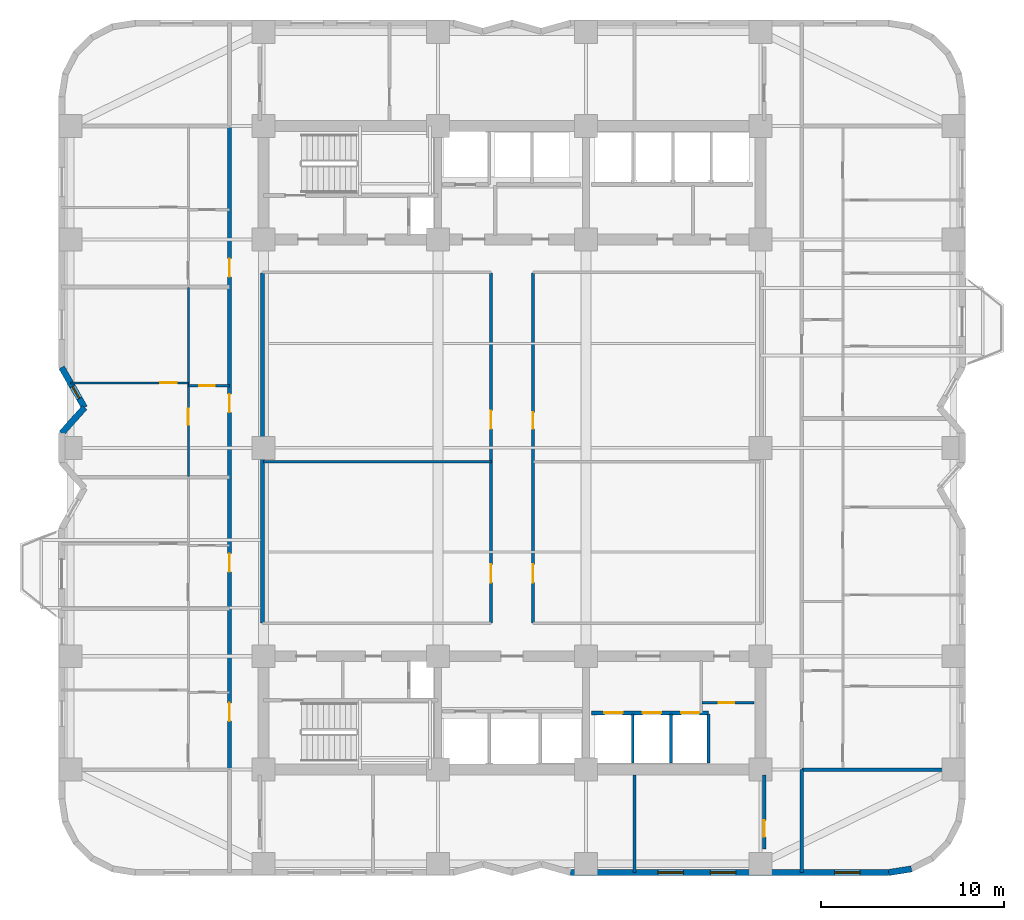
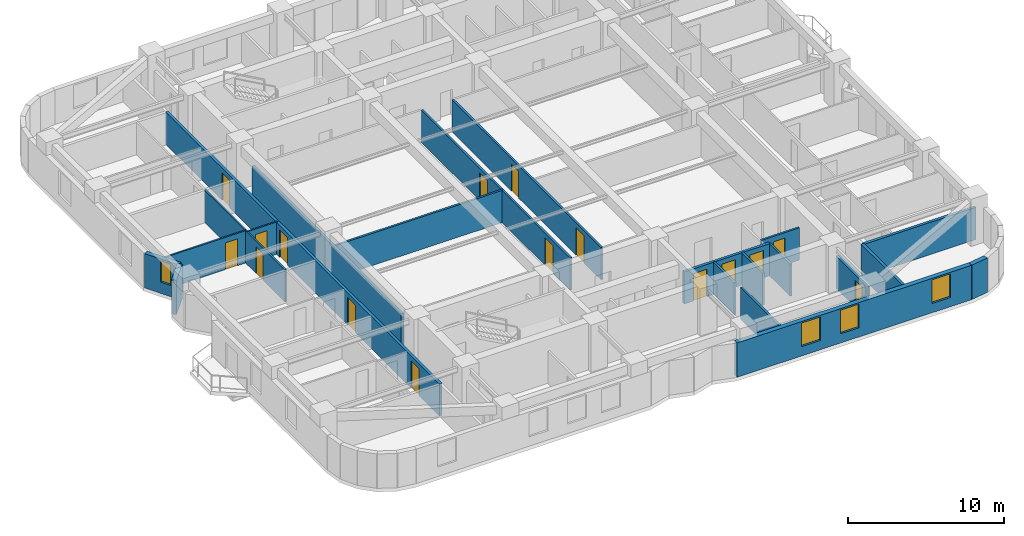
# One storey, part 4 of 9: 21 walls, 16 doors, 4 windows, 20 openings.
"""IFC4 building model written with IfcOpenShell, lengths in metres."""

from ifc_helpers import new_model, si_unit, direction, frame, frame_2d, origin, place, context, subcontext, project, spatial, rectangle, extrude, material, layer, layer_set, type_object, element, fill, save


model = new_model("IFC4")

# Units and contexts
model_context = context("Model", 3, precision=1e-05, world=origin(), true_north=direction((0.0, 1.0)))
body_context = subcontext(model_context, "Body", "Model", "MODEL_VIEW")
ifc_project = project(units=[si_unit("LENGTHUNIT", "METRE"), si_unit("AREAUNIT", "SQUARE_METRE"), si_unit("VOLUMEUNIT", "CUBIC_METRE"), si_unit("PLANEANGLEUNIT", "RADIAN"), si_unit("MASSUNIT", "GRAM", prefix="KILO")], contexts=[model_context])

# Site, building, storey
site_placement = place(None, origin())
site = spatial("IfcSite", under=ifc_project, at=site_placement, CompositionType="ELEMENT")
building_placement = place(site_placement, origin())
building = spatial("IfcBuilding", under=site, at=building_placement, Name="Svetorya Sky Lyceum", CompositionType="ELEMENT")
storey_placement = place(building_placement, frame((0.0, 0.0, 51.0)))
storey = spatial("IfcBuildingStorey", under=building, at=storey_placement, Name="L12", CompositionType="ELEMENT", Elevation=51.0)

# Wall, openings, windows
ifc_material_1 = material(Name="Putilovo limestone rainscreen on autoclaved cellular masonry", Category="masonry")
ifc_layer_1 = layer(ifc_material_1, 0.340087890625)
ifc_layer_set_1 = layer_set([ifc_layer_1], Name="Putilovo limestone rainscreen on autoclaved cellular masonry")
wall_type_1 = type_object("IfcWallType", Name="WL-EXT-340", PredefinedType="SOLIDWALL", material=ifc_layer_set_1)
wall_1_placement = place(storey_placement, frame((42.39990234375, 4.969970703125, 0.0), z_axis=(0.0, 0.0, 1.0), x_axis=(1.0, 0.0, 0.0)))
wall_1 = element("IfcWall", 1, at=wall_1_placement, inside=storey, type_object=wall_type_1, Name="L12 Limestone Exterior Wall 11M", PredefinedType="SOLIDWALL", context=body_context, shape_type="SweptSolid", body=[
    extrude(rectangle(XDim=17.400146484375, YDim=0.340087890625, at=frame_2d((8.7001953125, 0.0))), origin(), (0.0, 0.0, 1.0), 2.699951171875),
])
opening_1_placement = place(wall_1_placement, frame((4.780029296875, 0.0, 0.72998046875)))
opening_1 = element("IfcOpeningElement", 2, at=opening_1_placement, cuts=wall_1, Name="Opening W-R2", PredefinedType="OPENING", context=body_context, shape_type="SweptSolid", body=[
    extrude(rectangle(XDim=1.39990234375, YDim=1.85009765625, at=frame_2d((0.699951171875, 0.925048828125))), frame((0.0, 0.179931640625, 0.0), z_axis=(0.0, -1.0, 0.0), x_axis=(1.0, 0.0, 0.0)), (0.0, 0.0, 1.0), 0.360107421875),
])
opening_2_placement = place(wall_1_placement, frame((7.64990234375, 0.0, 0.72998046875)))
opening_2 = element("IfcOpeningElement", 3, at=opening_2_placement, cuts=wall_1, Name="Opening W-R2", PredefinedType="OPENING", context=body_context, shape_type="SweptSolid", body=[
    extrude(rectangle(XDim=1.39990234375, YDim=1.85009765625, at=frame_2d((0.699951171875, 0.925048828125))), frame((0.0, 0.179931640625, 0.0), z_axis=(0.0, -1.0, 0.0), x_axis=(1.0, 0.0, 0.0)), (0.0, 0.0, 1.0), 0.360107421875),
])
opening_3_placement = place(wall_1_placement, frame((14.43994140625, 0.0, 0.72998046875)))
opening_3 = element("IfcOpeningElement", 4, at=opening_3_placement, cuts=wall_1, Name="Opening W-R2", PredefinedType="OPENING", context=body_context, shape_type="SweptSolid", body=[
    extrude(rectangle(XDim=1.39990234375, YDim=1.85009765625, at=frame_2d((0.699951171875, 0.925048828125))), frame((0.0, 0.179931640625, 0.0), z_axis=(0.0, -1.0, 0.0), x_axis=(1.0, 0.0, 0.0)), (0.0, 0.0, 1.0), 0.360107421875),
])
ifc_material_2 = material(Name="Thermally broken aluminium frame with triple low-E glazing", Category="aluminium")
window_type_1 = type_object("IfcWindowType", Name="WN-RES-140", PartitioningType="SINGLE_PANEL", PredefinedType="WINDOW", material=ifc_material_2)
window_1_placement = place(opening_1_placement, origin())
window_1 = element("IfcWindow", 5, at=window_1_placement, inside=storey, type_object=window_type_1, Name="L12 Facade Window W-R2.11M.1", OverallHeight=1.85009765625, OverallWidth=1.39990234375, PartitioningType="SINGLE_PANEL", PredefinedType="WINDOW", context=body_context, shape_type="SweptSolid", body=[
    extrude(rectangle(XDim=1.39990234375, YDim=1.85009765625, at=frame_2d((0.699951171875, 0.925048828125))), frame((0.0, 0.030029296875, 0.0), z_axis=(0.0, -1.0, 0.0), x_axis=(1.0, 0.0, 0.0)), (0.0, 0.0, 1.0), 0.06005859375),
])
fill(opening_1, window_1)
window_2_placement = place(opening_2_placement, origin())
window_2 = element("IfcWindow", 6, at=window_2_placement, inside=storey, type_object=window_type_1, Name="L12 Facade Window W-R2.11M.2", OverallHeight=1.85009765625, OverallWidth=1.39990234375, PartitioningType="SINGLE_PANEL", PredefinedType="WINDOW", context=body_context, shape_type="SweptSolid", body=[
    extrude(rectangle(XDim=1.39990234375, YDim=1.85009765625, at=frame_2d((0.699951171875, 0.925048828125))), frame((0.0, 0.030029296875, 0.0), z_axis=(0.0, -1.0, 0.0), x_axis=(1.0, 0.0, 0.0)), (0.0, 0.0, 1.0), 0.06005859375),
])
fill(opening_2, window_2)
window_3_placement = place(opening_3_placement, origin())
window_3 = element("IfcWindow", 7, at=window_3_placement, inside=storey, type_object=window_type_1, Name="L12 Facade Window W-R2.11M.3", OverallHeight=1.85009765625, OverallWidth=1.39990234375, PartitioningType="SINGLE_PANEL", PredefinedType="WINDOW", context=body_context, shape_type="SweptSolid", body=[
    extrude(rectangle(XDim=1.39990234375, YDim=1.85009765625, at=frame_2d((0.699951171875, 0.925048828125))), frame((0.0, 0.030029296875, 0.0), z_axis=(0.0, -1.0, 0.0), x_axis=(1.0, 0.0, 0.0)), (0.0, 0.0, 1.0), 0.06005859375),
])
fill(opening_3, window_3)

# Wall
wall_2_placement = place(storey_placement, frame((59.800048828125, 4.969970703125, 0.0), z_axis=(0.0, 0.0, 1.0), x_axis=(0.987685918112, 0.15644975923, 0.0)))
element("IfcWall", 8, at=wall_2_placement, inside=storey, type_object=wall_type_1, Name="L12 Limestone Exterior Wall 12M", PredefinedType="SOLIDWALL", context=body_context, shape_type="SweptSolid", body=[
    extrude(rectangle(XDim=1.260986328125, YDim=0.340087890625, at=frame_2d((0.63037109375, 0.0))), origin(), (0.0, 0.0, 1.0), 2.699951171875),
])

# Wall, opening, window
wall_3_placement = place(storey_placement, frame((14.570068359375, 32.60009765625, 0.0), z_axis=(0.0, 0.0, 1.0), x_axis=(0.493976255291, -0.869475393101, 0.0)))
wall_3 = element("IfcWall", 9, at=wall_3_placement, inside=storey, type_object=wall_type_1, Name="L12 Limestone Exterior Wall 41M", PredefinedType="SOLIDWALL", context=body_context, shape_type="SweptSolid", body=[
    extrude(rectangle(XDim=2.530517578125, YDim=0.340087890625, at=frame_2d((1.26513671875, 0.0))), origin(), (0.0, 0.0, 1.0), 2.699951171875),
])
opening_4_placement = place(wall_3_placement, frame((1.199951171875, 0.0, 0.889892578125)))
opening_4 = element("IfcOpeningElement", 10, at=opening_4_placement, cuts=wall_3, Name="Opening W-R5", PredefinedType="OPENING", context=body_context, shape_type="SweptSolid", body=[
    extrude(rectangle(XDim=0.75, YDim=1.64990234375, at=frame_2d((0.375, 0.824951171875))), frame((0.0, 0.179931640625, 0.0), z_axis=(0.0, -1.0, 0.0), x_axis=(1.0, 0.0, 0.0)), (0.0, 0.0, 1.0), 0.360107421875),
])
window_type_2 = type_object("IfcWindowType", Name="WN-RES-075", PartitioningType="SINGLE_PANEL", PredefinedType="WINDOW", material=ifc_material_2)
window_4_placement = place(opening_4_placement, origin())
window_4 = element("IfcWindow", 11, at=window_4_placement, inside=storey, type_object=window_type_2, Name="L12 Facade Window W-R5.41M.1", OverallHeight=1.64990234375, OverallWidth=0.75, PartitioningType="SINGLE_PANEL", PredefinedType="WINDOW", context=body_context, shape_type="SweptSolid", body=[
    extrude(rectangle(XDim=0.75, YDim=1.64990234375, at=frame_2d((0.375, 0.824951171875))), frame((0.0, 0.030029296875, 0.0), z_axis=(0.0, -1.0, 0.0), x_axis=(1.0, 0.0, 0.0)), (0.0, 0.0, 1.0), 0.06005859375),
])
fill(opening_4, window_4)

# Wall
wall_4_placement = place(storey_placement, frame((15.820068359375, 30.39990234375, 0.0), z_axis=(0.0, 0.0, 1.0), x_axis=(-0.666041619974, -0.74591457987, 0.0)))
element("IfcWall", 12, at=wall_4_placement, inside=storey, type_object=wall_type_1, Name="L12 Limestone Exterior Wall 42M", PredefinedType="SOLIDWALL", context=body_context, shape_type="SweptSolid", body=[
    extrude(rectangle(XDim=1.876708984375, YDim=0.340087890625, at=frame_2d((0.9384765625, 0.0))), origin(), (0.0, 0.0, 1.0), 2.699951171875),
])

# Wall, opening, door
ifc_material_3 = material(Name="Twin-stud galvanized framing with double fireboard", Category="gypsum")
ifc_layer_2 = layer(ifc_material_3, 0.1201171875)
ifc_layer_set_2 = layer_set([ifc_layer_2], Name="Twin-stud galvanized framing with double fireboard")
wall_type_2 = type_object("IfcWallType", Name="WL-PART-120", PredefinedType="PARTITIONING", material=ifc_layer_set_2)
wall_5_placement = place(storey_placement, frame((21.5, 31.590087890625, 0.0), z_axis=(0.0, 0.0, 1.0), x_axis=(1.0, 0.0, 0.0)))
wall_5 = element("IfcWall", 13, at=wall_5_placement, inside=storey, type_object=wall_type_2, Name="L12 Interior Partition W3-WH1", PredefinedType="PARTITIONING", context=body_context, shape_type="SweptSolid", body=[
    extrude(rectangle(XDim=2.25, YDim=0.1201171875, at=frame_2d((1.125, 0.0))), origin(), (0.0, 0.0, 1.0), 2.530029296875),
])
opening_5_placement = place(wall_5_placement, frame((0.60009765625, 0.0, 0.0)))
opening_5 = element("IfcOpeningElement", 14, at=opening_5_placement, cuts=wall_5, Name="Opening D-BT1", PredefinedType="OPENING", context=body_context, shape_type="SweptSolid", body=[
    extrude(rectangle(XDim=0.85009765625, YDim=2.10009765625, at=frame_2d((0.425048828125, 1.050048828125))), frame((0.0, 0.070068359375, 0.0), z_axis=(0.0, -1.0, 0.0), x_axis=(1.0, 0.0, 0.0)), (0.0, 0.0, 1.0), 0.14013671875),
])
ifc_material_4 = material(Name="Moisture-resistant laminate bathroom door")
door_type_1 = type_object("IfcDoorType", Name="DR-WET-850", OperationType="SINGLE_SWING_LEFT", PredefinedType="DOOR", material=ifc_material_4)
door_1_placement = place(opening_5_placement, origin())
door_1 = element("IfcDoor", 15, at=door_1_placement, inside=storey, type_object=door_type_1, Name="Apartment W3 Bathroom Door", OperationType="SINGLE_SWING_LEFT", OverallHeight=2.10009765625, OverallWidth=0.85009765625, PredefinedType="DOOR", context=body_context, shape_type="SweptSolid", body=[
    extrude(rectangle(XDim=0.85009765625, YDim=2.10009765625, at=frame_2d((0.425048828125, 1.050048828125))), frame((0.0, 0.02490234375, 0.0), z_axis=(0.0, -1.0, 0.0), x_axis=(1.0, 0.0, 0.0)), (0.0, 0.0, 1.0), 0.050048828125),
])
fill(opening_5, door_1)

wall_6_placement = place(storey_placement, frame((15.052978515625, 31.75, 0.0), z_axis=(0.0, 0.0, 1.0), x_axis=(1.0, 0.0, 0.0)))
wall_6 = element("IfcWall", 16, at=wall_6_placement, inside=storey, type_object=wall_type_2, Name="L12 Interior Partition W3-WL1", PredefinedType="PARTITIONING", context=body_context, shape_type="SweptSolid", body=[
    extrude(rectangle(XDim=6.447021484375, YDim=0.1201171875, at=frame_2d((3.2236328125, 0.0))), origin(), (0.0, 0.0, 1.0), 2.530029296875),
])
opening_6_placement = place(wall_6_placement, frame((4.89697265625, 0.0, 0.0)))
opening_6 = element("IfcOpeningElement", 17, at=opening_6_placement, cuts=wall_6, Name="Opening D-RM1", PredefinedType="OPENING", context=body_context, shape_type="SweptSolid", body=[
    extrude(rectangle(XDim=0.89990234375, YDim=2.10009765625, at=frame_2d((0.449951171875, 1.050048828125))), frame((0.0, 0.070068359375, 0.0), z_axis=(0.0, -1.0, 0.0), x_axis=(1.0, 0.0, 0.0)), (0.0, 0.0, 1.0), 0.14013671875),
])
ifc_material_5 = material(Name="Lacquered birch veneer internal door")
door_type_2 = type_object("IfcDoorType", Name="DR-INT-900", OperationType="SINGLE_SWING_LEFT", PredefinedType="DOOR", material=ifc_material_5)
door_2_placement = place(opening_6_placement, origin())
door_2 = element("IfcDoor", 18, at=door_2_placement, inside=storey, type_object=door_type_2, Name="Apartment W3 Bedroom 1 Door", OperationType="SINGLE_SWING_LEFT", OverallHeight=2.10009765625, OverallWidth=0.89990234375, PredefinedType="DOOR", context=body_context, shape_type="SweptSolid", body=[
    extrude(rectangle(XDim=0.89990234375, YDim=2.10009765625, at=frame_2d((0.449951171875, 1.050048828125))), frame((0.0, 0.02490234375, 0.0), z_axis=(0.0, -1.0, 0.0), x_axis=(1.0, 0.0, 0.0)), (0.0, 0.0, 1.0), 0.050048828125),
])
fill(opening_6, door_2)

wall_7_placement = place(storey_placement, frame((21.5, 26.639892578125, 0.0), z_axis=(0.0, 0.0, 1.0), x_axis=(0.0, 1.0, 0.0)))
wall_7 = element("IfcWall", 19, at=wall_7_placement, inside=storey, type_object=wall_type_2, Name="L12 Interior Partition W3-WV", PredefinedType="PARTITIONING", context=body_context, shape_type="SweptSolid", body=[
    extrude(rectangle(XDim=10.320068359375, YDim=0.1201171875, at=frame_2d((5.16015625, 0.0))), origin(), (0.0, 0.0, 1.0), 2.530029296875),
])
opening_7_placement = place(wall_7_placement, frame((2.81005859375, 0.0, 0.0)))
opening_7 = element("IfcOpeningElement", 20, at=opening_7_placement, cuts=wall_7, Name="Opening D-RM1", PredefinedType="OPENING", context=body_context, shape_type="SweptSolid", body=[
    extrude(rectangle(XDim=0.89990234375, YDim=2.10009765625, at=frame_2d((0.449951171875, 1.050048828125))), frame((0.0, 0.070068359375, 0.0), z_axis=(0.0, -1.0, 0.0), x_axis=(1.0, 0.0, 0.0)), (0.0, 0.0, 1.0), 0.14013671875),
])
door_3_placement = place(opening_7_placement, origin())
door_3 = element("IfcDoor", 21, at=door_3_placement, inside=storey, type_object=door_type_2, Name="Apartment W3 Living Door", OperationType="SINGLE_SWING_RIGHT", OverallHeight=2.10009765625, OverallWidth=0.89990234375, PredefinedType="DOOR", context=body_context, shape_type="SweptSolid", body=[
    extrude(rectangle(XDim=0.89990234375, YDim=2.10009765625, at=frame_2d((0.449951171875, 1.050048828125))), frame((0.0, 0.02490234375, 0.0), z_axis=(0.0, -1.0, 0.0), x_axis=(1.0, 0.0, 0.0)), (0.0, 0.0, 1.0), 0.050048828125),
])
fill(opening_7, door_3)

# Walls
ifc_material_6 = material(Name="Autoclaved cellular masonry blockwork with acoustic render", Category="masonry")
ifc_layer_3 = layer(ifc_material_6, 0.14990234375)
ifc_layer_set_3 = layer_set([ifc_layer_3], Name="Autoclaved cellular masonry blockwork with acoustic render")
wall_type_3 = type_object("IfcWallType", Name="WL-PART-150", PredefinedType="PARTITIONING", material=ifc_layer_set_3)
for number, where, z_axis, x_axis, name in (
    (22, (45.800048828125, 10.949951171875, 0.0), (0.0, 0.0, 1.0), (0.0, 1.0, 0.0), "L12 Interior Partition SC-PL-DIV1"),
    (23, (47.89990234375, 10.949951171875, 0.0), (0.0, 0.0, 1.0), (0.0, 1.0, 0.0), "L12 Interior Partition SC-PL-DIV2"),
    (24, (49.949951171875, 10.949951171875, 0.0), (0.0, 0.0, 1.0), (0.0, 1.0, 0.0), "L12 Interior Partition SC-PL-END"),
):
    element("IfcWall", number, at=place(storey_placement, frame(where, z_axis=z_axis, x_axis=x_axis)), inside=storey, type_object=wall_type_3, Name=name, PredefinedType="PARTITIONING", context=body_context, shape_type="SweptSolid", body=[
        extrude(rectangle(XDim=2.699951171875, YDim=0.14990234375, at=frame_2d((1.35009765625, 0.0))), origin(), (0.0, 0.0, 1.0), 2.530029296875),
    ])

# Wall, opening, door
wall_8_placement = place(storey_placement, frame((49.60009765625, 14.25, 0.0), z_axis=(0.0, 0.0, 1.0), x_axis=(1.0, 0.0, 0.0)))
wall_8 = element("IfcWall", 25, at=wall_8_placement, inside=storey, type_object=wall_type_3, Name="L12 Interior Partition SC-AUX-H2", PredefinedType="PARTITIONING", context=body_context, shape_type="SweptSolid", body=[
    extrude(rectangle(XDim=2.849853515625, YDim=0.14990234375, at=frame_2d((1.4248046875, 0.0))), origin(), (0.0, 0.0, 1.0), 2.530029296875),
])
opening_8_placement = place(wall_8_placement, frame((0.89990234375, 0.0, 0.0)))
opening_8 = element("IfcOpeningElement", 26, at=opening_8_placement, cuts=wall_8, Name="Opening D-CWC1", PredefinedType="OPENING", context=body_context, shape_type="SweptSolid", body=[
    extrude(rectangle(XDim=0.85009765625, YDim=2.10009765625, at=frame_2d((0.425048828125, 1.050048828125))), frame((0.0, 0.0849609375, 0.0), z_axis=(0.0, -1.0, 0.0), x_axis=(1.0, 0.0, 0.0)), (0.0, 0.0, 1.0), 0.169921875),
])
ifc_material_7 = material(Name="Fire-rated galvanized steel core service closet door", Category="steel")
door_type_3 = type_object("IfcDoorType", Name="DR-CWET-850", OperationType="SINGLE_SWING_LEFT", PredefinedType="DOOR", material=ifc_material_7)
door_4_placement = place(opening_8_placement, origin())
door_4 = element("IfcDoor", 27, at=door_4_placement, inside=storey, type_object=door_type_3, Name="L12 South Telecom Room Door", OperationType="SINGLE_SWING_RIGHT", OverallHeight=2.10009765625, OverallWidth=0.85009765625, PredefinedType="DOOR", context=body_context, shape_type="SweptSolid", body=[
    extrude(rectangle(XDim=0.85009765625, YDim=2.10009765625, at=frame_2d((0.425048828125, 1.050048828125))), frame((0.0, 0.02490234375, 0.0), z_axis=(0.0, -1.0, 0.0), x_axis=(1.0, 0.0, 0.0)), (0.0, 0.0, 1.0), 0.050048828125),
])
fill(opening_8, door_4)

# Wall
wall_9_placement = place(storey_placement, frame((25.60009765625, 27.434326171875, 0.0), z_axis=(0.0, 0.0, 1.0), x_axis=(1.0, 0.0, 0.0)))
element("IfcWall", 28, at=wall_9_placement, inside=storey, type_object=wall_type_3, Name="L12 Interior Partition CEN-HW", PredefinedType="PARTITIONING", context=body_context, shape_type="SweptSolid", body=[
    extrude(rectangle(XDim=12.469970703125, YDim=0.14990234375, at=frame_2d((6.23486328125, 0.0))), origin(), (0.0, 0.0, 1.0), 2.530029296875),
])

# Wall, openings, doors
wall_10_placement = place(storey_placement, frame((38.050048828125, 18.6298828125, 0.0), z_axis=(0.0, 0.0, 1.0), x_axis=(0.0, 1.0, 0.0)))
wall_10 = element("IfcWall", 29, at=wall_10_placement, inside=storey, type_object=wall_type_3, Name="L12 Interior Partition CEN-VW", PredefinedType="PARTITIONING", context=body_context, shape_type="SweptSolid", body=[
    extrude(rectangle(XDim=19.14013671875, YDim=0.14990234375, at=frame_2d((9.570068359375, 0.0))), origin(), (0.0, 0.0, 1.0), 2.530029296875),
])
opening_9_placement = place(wall_10_placement, frame((2.199951171875, 0.0, 0.0)))
opening_9 = element("IfcOpeningElement", 30, at=opening_9_placement, cuts=wall_10, Name="Opening D-RM2", PredefinedType="OPENING", context=body_context, shape_type="SweptSolid", body=[
    extrude(rectangle(XDim=1.0, YDim=2.14990234375, at=frame_2d((0.5, 1.074951171875))), frame((0.0, 0.0849609375, 0.0), z_axis=(0.0, -1.0, 0.0), x_axis=(1.0, 0.0, 0.0)), (0.0, 0.0, 1.0), 0.169921875),
])
opening_10_placement = place(wall_10_placement, frame((10.6044921875, 0.0, 0.0)))
opening_10 = element("IfcOpeningElement", 31, at=opening_10_placement, cuts=wall_10, Name="Opening D-RM2", PredefinedType="OPENING", context=body_context, shape_type="SweptSolid", body=[
    extrude(rectangle(XDim=1.0, YDim=2.14990234375, at=frame_2d((0.5, 1.074951171875))), frame((0.0, 0.0849609375, 0.0), z_axis=(0.0, -1.0, 0.0), x_axis=(1.0, 0.0, 0.0)), (0.0, 0.0, 1.0), 0.169921875),
])
ifc_material_8 = material(Name="Solid-core oak acoustic room door")
door_type_4 = type_object("IfcDoorType", Name="DR-INT-1000", OperationType="SINGLE_SWING_LEFT", PredefinedType="DOOR", material=ifc_material_8)
door_5_placement = place(opening_9_placement, origin())
door_5 = element("IfcDoor", 32, at=door_5_placement, inside=storey, type_object=door_type_4, Name="L12 Meeting Door", OperationType="SINGLE_SWING_LEFT", OverallHeight=2.14990234375, OverallWidth=1.0, PredefinedType="DOOR", context=body_context, shape_type="SweptSolid", body=[
    extrude(rectangle(XDim=1.0, YDim=2.14990234375, at=frame_2d((0.5, 1.074951171875))), frame((0.0, 0.02490234375, 0.0), z_axis=(0.0, -1.0, 0.0), x_axis=(1.0, 0.0, 0.0)), (0.0, 0.0, 1.0), 0.050048828125),
])
fill(opening_9, door_5)
door_6_placement = place(opening_10_placement, origin())
door_6 = element("IfcDoor", 33, at=door_6_placement, inside=storey, type_object=door_type_4, Name="L12 Focus Door", OperationType="SINGLE_SWING_RIGHT", OverallHeight=2.14990234375, OverallWidth=1.0, PredefinedType="DOOR", context=body_context, shape_type="SweptSolid", body=[
    extrude(rectangle(XDim=1.0, YDim=2.14990234375, at=frame_2d((0.5, 1.074951171875))), frame((0.0, 0.02490234375, 0.0), z_axis=(0.0, -1.0, 0.0), x_axis=(1.0, 0.0, 0.0)), (0.0, 0.0, 1.0), 0.050048828125),
])
fill(opening_10, door_6)

wall_11_placement = place(storey_placement, frame((40.35009765625, 18.6298828125, 0.0), z_axis=(0.0, 0.0, 1.0), x_axis=(0.0, 1.0, 0.0)))
wall_11 = element("IfcWall", 34, at=wall_11_placement, inside=storey, type_object=wall_type_3, Name="L12 Interior Partition CEN-VE", PredefinedType="PARTITIONING", context=body_context, shape_type="SweptSolid", body=[
    extrude(rectangle(XDim=19.14013671875, YDim=0.14990234375, at=frame_2d((9.570068359375, 0.0))), origin(), (0.0, 0.0, 1.0), 2.530029296875),
])
opening_11_placement = place(wall_11_placement, frame((2.199951171875, 0.0, 0.0)))
opening_11 = element("IfcOpeningElement", 35, at=opening_11_placement, cuts=wall_11, Name="Opening D-RM2", PredefinedType="OPENING", context=body_context, shape_type="SweptSolid", body=[
    extrude(rectangle(XDim=1.0, YDim=2.14990234375, at=frame_2d((0.5, 1.074951171875))), frame((0.0, 0.0849609375, 0.0), z_axis=(0.0, -1.0, 0.0), x_axis=(1.0, 0.0, 0.0)), (0.0, 0.0, 1.0), 0.169921875),
])
opening_12_placement = place(wall_11_placement, frame((10.6044921875, 0.0, 0.0)))
opening_12 = element("IfcOpeningElement", 36, at=opening_12_placement, cuts=wall_11, Name="Opening D-RM1", PredefinedType="OPENING", context=body_context, shape_type="SweptSolid", body=[
    extrude(rectangle(XDim=0.89990234375, YDim=2.10009765625, at=frame_2d((0.449951171875, 1.050048828125))), frame((0.0, 0.0849609375, 0.0), z_axis=(0.0, -1.0, 0.0), x_axis=(1.0, 0.0, 0.0)), (0.0, 0.0, 1.0), 0.169921875),
])
door_7_placement = place(opening_11_placement, origin())
door_7 = element("IfcDoor", 37, at=door_7_placement, inside=storey, type_object=door_type_4, Name="L12 Office Door", OperationType="SINGLE_SWING_RIGHT", OverallHeight=2.14990234375, OverallWidth=1.0, PredefinedType="DOOR", context=body_context, shape_type="SweptSolid", body=[
    extrude(rectangle(XDim=1.0, YDim=2.14990234375, at=frame_2d((0.5, 1.074951171875))), frame((0.0, 0.02490234375, 0.0), z_axis=(0.0, -1.0, 0.0), x_axis=(1.0, 0.0, 0.0)), (0.0, 0.0, 1.0), 0.050048828125),
])
fill(opening_11, door_7)
door_8_placement = place(opening_12_placement, origin())
door_8 = element("IfcDoor", 38, at=door_8_placement, inside=storey, type_object=door_type_2, Name="L12 Pantry Door", OperationType="SINGLE_SWING_LEFT", OverallHeight=2.10009765625, OverallWidth=0.89990234375, PredefinedType="DOOR", context=body_context, shape_type="SweptSolid", body=[
    extrude(rectangle(XDim=0.89990234375, YDim=2.10009765625, at=frame_2d((0.449951171875, 1.050048828125))), frame((0.0, 0.02490234375, 0.0), z_axis=(0.0, -1.0, 0.0), x_axis=(1.0, 0.0, 0.0)), (0.0, 0.0, 1.0), 0.050048828125),
])
fill(opening_12, door_8)

# Wall
wall_12_placement = place(storey_placement, frame((45.89990234375, 4.969970703125, 0.0), z_axis=(0.0, 0.0, 1.0), x_axis=(0.0, 1.0, 0.0)))
element("IfcWall", 39, at=wall_12_placement, inside=storey, type_object=wall_type_3, Name="L12 Interior Partition S-D2", PredefinedType="PARTITIONING", context=body_context, shape_type="SweptSolid", body=[
    extrude(rectangle(XDim=5.330078125, YDim=0.14990234375, at=frame_2d((2.6650390625, 0.0))), origin(), (0.0, 0.0, 1.0), 2.530029296875),
])

# Wall, openings, doors
ifc_material_9 = material(Name="Autoclaved cellular masonry blockwork with gypsum plaster", Category="masonry")
ifc_layer_4 = layer(ifc_material_9, 0.199951171875)
ifc_layer_set_4 = layer_set([ifc_layer_4], Name="Autoclaved cellular masonry blockwork with gypsum plaster")
wall_type_4 = type_object("IfcWallType", Name="WL-PART-200", PredefinedType="PARTITIONING", material=ifc_layer_set_4)
wall_13_placement = place(storey_placement, frame((43.550048828125, 13.699951171875, 0.0), z_axis=(0.0, 0.0, 1.0), x_axis=(1.0, 0.0, 0.0)))
wall_13 = element("IfcWall", 40, at=wall_13_placement, inside=storey, type_object=wall_type_4, Name="L12 Interior Partition SC-PLW", PredefinedType="PARTITIONING", context=body_context, shape_type="SweptSolid", body=[
    extrude(rectangle(XDim=6.39990234375, YDim=0.199951171875, at=frame_2d((3.199951171875, 0.0))), origin(), (0.0, 0.0, 1.0), 2.530029296875),
])
opening_13_placement = place(wall_13_placement, frame((0.699951171875, 0.0, 0.0)))
opening_13 = element("IfcOpeningElement", 41, at=opening_13_placement, cuts=wall_13, Name="Opening LD-P1", PredefinedType="OPENING", context=body_context, shape_type="SweptSolid", body=[
    extrude(rectangle(XDim=1.0, YDim=2.14990234375, at=frame_2d((0.5, 1.074951171875))), frame((0.0, 0.10986328125, 0.0), z_axis=(0.0, -1.0, 0.0), x_axis=(1.0, 0.0, 0.0)), (0.0, 0.0, 1.0), 0.219970703125),
])
opening_14_placement = place(wall_13_placement, frame((2.800048828125, 0.0, 0.0)))
opening_14 = element("IfcOpeningElement", 42, at=opening_14_placement, cuts=wall_13, Name="Opening LD-P1", PredefinedType="OPENING", context=body_context, shape_type="SweptSolid", body=[
    extrude(rectangle(XDim=1.0, YDim=2.14990234375, at=frame_2d((0.5, 1.074951171875))), frame((0.0, 0.10986328125, 0.0), z_axis=(0.0, -1.0, 0.0), x_axis=(1.0, 0.0, 0.0)), (0.0, 0.0, 1.0), 0.219970703125),
])
opening_15_placement = place(wall_13_placement, frame((4.89990234375, 0.0, 0.0)))
opening_15 = element("IfcOpeningElement", 43, at=opening_15_placement, cuts=wall_13, Name="Opening LD-P1", PredefinedType="OPENING", context=body_context, shape_type="SweptSolid", body=[
    extrude(rectangle(XDim=1.0, YDim=2.14990234375, at=frame_2d((0.5, 1.074951171875))), frame((0.0, 0.10986328125, 0.0), z_axis=(0.0, -1.0, 0.0), x_axis=(1.0, 0.0, 0.0)), (0.0, 0.0, 1.0), 0.219970703125),
])
ifc_material_10 = material(Name="Champagne-anodized stainless passenger lift landing door")
door_type_5 = type_object("IfcDoorType", Name="DR-LIFT-1000", OperationType="SLIDING_TO_LEFT", PredefinedType="DOOR", material=ifc_material_10)
door_9_placement = place(opening_13_placement, origin())
door_9 = element("IfcDoor", 44, at=door_9_placement, inside=storey, type_object=door_type_5, Name="L12 Passenger Lift PL1 Landing Door", OperationType="SLIDING_TO_LEFT", OverallHeight=2.14990234375, OverallWidth=1.0, PredefinedType="DOOR", context=body_context, shape_type="SweptSolid", body=[
    extrude(rectangle(XDim=1.0, YDim=2.14990234375, at=frame_2d((0.5, 1.074951171875))), frame((0.0, 0.02490234375, 0.0), z_axis=(0.0, -1.0, 0.0), x_axis=(1.0, 0.0, 0.0)), (0.0, 0.0, 1.0), 0.050048828125),
])
fill(opening_13, door_9)
door_10_placement = place(opening_14_placement, origin())
door_10 = element("IfcDoor", 45, at=door_10_placement, inside=storey, type_object=door_type_5, Name="L12 Passenger Lift PL2 Landing Door", OperationType="SLIDING_TO_LEFT", OverallHeight=2.14990234375, OverallWidth=1.0, PredefinedType="DOOR", context=body_context, shape_type="SweptSolid", body=[
    extrude(rectangle(XDim=1.0, YDim=2.14990234375, at=frame_2d((0.5, 1.074951171875))), frame((0.0, 0.02490234375, 0.0), z_axis=(0.0, -1.0, 0.0), x_axis=(1.0, 0.0, 0.0)), (0.0, 0.0, 1.0), 0.050048828125),
])
fill(opening_14, door_10)
door_11_placement = place(opening_15_placement, origin())
door_11 = element("IfcDoor", 46, at=door_11_placement, inside=storey, type_object=door_type_5, Name="L12 Passenger Lift PL3 Landing Door", OperationType="SLIDING_TO_LEFT", OverallHeight=2.14990234375, OverallWidth=1.0, PredefinedType="DOOR", context=body_context, shape_type="SweptSolid", body=[
    extrude(rectangle(XDim=1.0, YDim=2.14990234375, at=frame_2d((0.5, 1.074951171875))), frame((0.0, 0.02490234375, 0.0), z_axis=(0.0, -1.0, 0.0), x_axis=(1.0, 0.0, 0.0)), (0.0, 0.0, 1.0), 0.050048828125),
])
fill(opening_15, door_11)

# Wall
wall_14_placement = place(storey_placement, frame((25.550048828125, 18.6298828125, 0.0), z_axis=(0.0, 0.0, 1.0), x_axis=(0.0, 1.0, 0.0)))
element("IfcWall", 47, at=wall_14_placement, inside=storey, type_object=wall_type_4, Name="L12 Interior Partition W-CEN-SEP", PredefinedType="PARTITIONING", context=body_context, shape_type="SweptSolid", body=[
    extrude(rectangle(XDim=19.14013671875, YDim=0.199951171875, at=frame_2d((9.570068359375, 0.0))), origin(), (0.0, 0.0, 1.0), 2.530029296875),
])

# Wall, openings, doors
wall_15_placement = place(storey_placement, frame((23.75, 10.60009765625, 0.0), z_axis=(0.0, 0.0, 1.0), x_axis=(0.0, 1.0, 0.0)))
wall_15 = element("IfcWall", 48, at=wall_15_placement, inside=storey, type_object=wall_type_4, Name="L12 Interior Partition W-CORRW", PredefinedType="PARTITIONING", context=body_context, shape_type="SweptSolid", body=[
    extrude(rectangle(XDim=35.199951171875, YDim=0.199951171875, at=frame_2d((17.60009765625, 0.0))), origin(), (0.0, 0.0, 1.0), 2.530029296875),
])
opening_16_placement = place(wall_15_placement, frame((2.64990234375, 0.0, 0.0)))
opening_16 = element("IfcOpeningElement", 49, at=opening_16_placement, cuts=wall_15, Name="Opening D-APT1", PredefinedType="OPENING", context=body_context, shape_type="SweptSolid", body=[
    extrude(rectangle(XDim=1.0, YDim=2.14990234375, at=frame_2d((0.5, 1.074951171875))), frame((0.0, 0.10986328125, 0.0), z_axis=(0.0, -1.0, 0.0), x_axis=(1.0, 0.0, 0.0)), (0.0, 0.0, 1.0), 0.219970703125),
])
opening_17_placement = place(wall_15_placement, frame((10.81005859375, 0.0, 0.0)))
opening_17 = element("IfcOpeningElement", 50, at=opening_17_placement, cuts=wall_15, Name="Opening D-APT1", PredefinedType="OPENING", context=body_context, shape_type="SweptSolid", body=[
    extrude(rectangle(XDim=1.0, YDim=2.14990234375, at=frame_2d((0.5, 1.074951171875))), frame((0.0, 0.10986328125, 0.0), z_axis=(0.0, -1.0, 0.0), x_axis=(1.0, 0.0, 0.0)), (0.0, 0.0, 1.0), 0.219970703125),
])
opening_18_placement = place(wall_15_placement, frame((19.5400390625, 0.0, 0.0)))
opening_18 = element("IfcOpeningElement", 51, at=opening_18_placement, cuts=wall_15, Name="Opening D-APT1", PredefinedType="OPENING", context=body_context, shape_type="SweptSolid", body=[
    extrude(rectangle(XDim=1.0, YDim=2.14990234375, at=frame_2d((0.5, 1.074951171875))), frame((0.0, 0.10986328125, 0.0), z_axis=(0.0, -1.0, 0.0), x_axis=(1.0, 0.0, 0.0)), (0.0, 0.0, 1.0), 0.219970703125),
])
opening_19_placement = place(wall_15_placement, frame((26.949951171875, 0.0, 0.0)))
opening_19 = element("IfcOpeningElement", 52, at=opening_19_placement, cuts=wall_15, Name="Opening D-APT1", PredefinedType="OPENING", context=body_context, shape_type="SweptSolid", body=[
    extrude(rectangle(XDim=1.0, YDim=2.14990234375, at=frame_2d((0.5, 1.074951171875))), frame((0.0, 0.10986328125, 0.0), z_axis=(0.0, -1.0, 0.0), x_axis=(1.0, 0.0, 0.0)), (0.0, 0.0, 1.0), 0.219970703125),
])
ifc_material_11 = material(Name="Insulated oak-veneered apartment entrance door")
door_type_6 = type_object("IfcDoorType", Name="DR-APT-1000", OperationType="SINGLE_SWING_LEFT", PredefinedType="DOOR", material=ifc_material_11)
door_12_placement = place(opening_16_placement, origin())
door_12 = element("IfcDoor", 53, at=door_12_placement, inside=storey, type_object=door_type_6, Name="L12 Apartment W1 Entrance Door", OperationType="SINGLE_SWING_LEFT", OverallHeight=2.14990234375, OverallWidth=1.0, PredefinedType="DOOR", context=body_context, shape_type="SweptSolid", body=[
    extrude(rectangle(XDim=1.0, YDim=2.14990234375, at=frame_2d((0.5, 1.074951171875))), frame((0.0, 0.02490234375, 0.0), z_axis=(0.0, -1.0, 0.0), x_axis=(1.0, 0.0, 0.0)), (0.0, 0.0, 1.0), 0.050048828125),
])
fill(opening_16, door_12)
door_13_placement = place(opening_17_placement, origin())
door_13 = element("IfcDoor", 54, at=door_13_placement, inside=storey, type_object=door_type_6, Name="L12 Apartment W2 Entrance Door", OperationType="SINGLE_SWING_RIGHT", OverallHeight=2.14990234375, OverallWidth=1.0, PredefinedType="DOOR", context=body_context, shape_type="SweptSolid", body=[
    extrude(rectangle(XDim=1.0, YDim=2.14990234375, at=frame_2d((0.5, 1.074951171875))), frame((0.0, 0.02490234375, 0.0), z_axis=(0.0, -1.0, 0.0), x_axis=(1.0, 0.0, 0.0)), (0.0, 0.0, 1.0), 0.050048828125),
])
fill(opening_17, door_13)
door_14_placement = place(opening_18_placement, origin())
door_14 = element("IfcDoor", 55, at=door_14_placement, inside=storey, type_object=door_type_6, Name="L12 Apartment W3 Entrance Door", OperationType="SINGLE_SWING_LEFT", OverallHeight=2.14990234375, OverallWidth=1.0, PredefinedType="DOOR", context=body_context, shape_type="SweptSolid", body=[
    extrude(rectangle(XDim=1.0, YDim=2.14990234375, at=frame_2d((0.5, 1.074951171875))), frame((0.0, 0.02490234375, 0.0), z_axis=(0.0, -1.0, 0.0), x_axis=(1.0, 0.0, 0.0)), (0.0, 0.0, 1.0), 0.050048828125),
])
fill(opening_18, door_14)
door_15_placement = place(opening_19_placement, origin())
door_15 = element("IfcDoor", 56, at=door_15_placement, inside=storey, type_object=door_type_6, Name="L12 Apartment W4 Entrance Door", OperationType="SINGLE_SWING_RIGHT", OverallHeight=2.14990234375, OverallWidth=1.0, PredefinedType="DOOR", context=body_context, shape_type="SweptSolid", body=[
    extrude(rectangle(XDim=1.0, YDim=2.14990234375, at=frame_2d((0.5, 1.074951171875))), frame((0.0, 0.02490234375, 0.0), z_axis=(0.0, -1.0, 0.0), x_axis=(1.0, 0.0, 0.0)), (0.0, 0.0, 1.0), 0.050048828125),
])
fill(opening_19, door_15)

# Walls
wall_16_placement = place(storey_placement, frame((55.050048828125, 10.60009765625, 0.0), z_axis=(0.0, 0.0, 1.0), x_axis=(1.0, 0.0, 0.0)))
element("IfcWall", 57, at=wall_16_placement, inside=storey, type_object=wall_type_4, Name="L12 Interior Partition E-CAP-S", PredefinedType="PARTITIONING", context=body_context, shape_type="SweptSolid", body=[
    extrude(rectangle(XDim=8.35986328125, YDim=0.199951171875, at=frame_2d((4.179931640625, 0.0))), origin(), (0.0, 0.0, 1.0), 2.530029296875),
])
wall_17_placement = place(storey_placement, frame((55.050048828125, 4.969970703125, 0.0), z_axis=(0.0, 0.0, 1.0), x_axis=(0.0, 1.0, 0.0)))
element("IfcWall", 58, at=wall_17_placement, inside=storey, type_object=wall_type_4, Name="L12 Interior Partition EC-SE-END", PredefinedType="PARTITIONING", context=body_context, shape_type="SweptSolid", body=[
    extrude(rectangle(XDim=5.630126953125, YDim=0.199951171875, at=frame_2d((2.81494140625, 0.0))), origin(), (0.0, 0.0, 1.0), 2.530029296875),
])

# Wall, opening, door
wall_18_placement = place(storey_placement, frame((53.0, 6.27001953125, 0.0), z_axis=(0.0, 0.0, 1.0), x_axis=(0.0, 1.0, 0.0)))
wall_18 = element("IfcWall", 59, at=wall_18_placement, inside=storey, type_object=wall_type_4, Name="L12 Interior Partition S-EE", PredefinedType="PARTITIONING", context=body_context, shape_type="SweptSolid", body=[
    extrude(rectangle(XDim=4.030029296875, YDim=0.199951171875, at=frame_2d((2.01513671875, 0.0))), origin(), (0.0, 0.0, 1.0), 2.530029296875),
])
opening_20_placement = place(wall_18_placement, frame((0.64990234375, 0.0, 0.0)))
opening_20 = element("IfcOpeningElement", 60, at=opening_20_placement, cuts=wall_18, Name="Opening D-RM1", PredefinedType="OPENING", context=body_context, shape_type="SweptSolid", body=[
    extrude(rectangle(XDim=0.89990234375, YDim=2.10009765625, at=frame_2d((0.449951171875, 1.050048828125))), frame((0.0, 0.10986328125, 0.0), z_axis=(0.0, -1.0, 0.0), x_axis=(1.0, 0.0, 0.0)), (0.0, 0.0, 1.0), 0.219970703125),
])
door_16_placement = place(opening_20_placement, origin())
door_16 = element("IfcDoor", 61, at=door_16_placement, inside=storey, type_object=door_type_2, Name="L12 South Focus Door", OperationType="SINGLE_SWING_RIGHT", OverallHeight=2.10009765625, OverallWidth=0.89990234375, PredefinedType="DOOR", context=body_context, shape_type="SweptSolid", body=[
    extrude(rectangle(XDim=0.89990234375, YDim=2.10009765625, at=frame_2d((0.449951171875, 1.050048828125))), frame((0.0, 0.02490234375, 0.0), z_axis=(0.0, -1.0, 0.0), x_axis=(1.0, 0.0, 0.0)), (0.0, 0.0, 1.0), 0.050048828125),
])
fill(opening_20, door_16)

save(model, "model.ifc")
